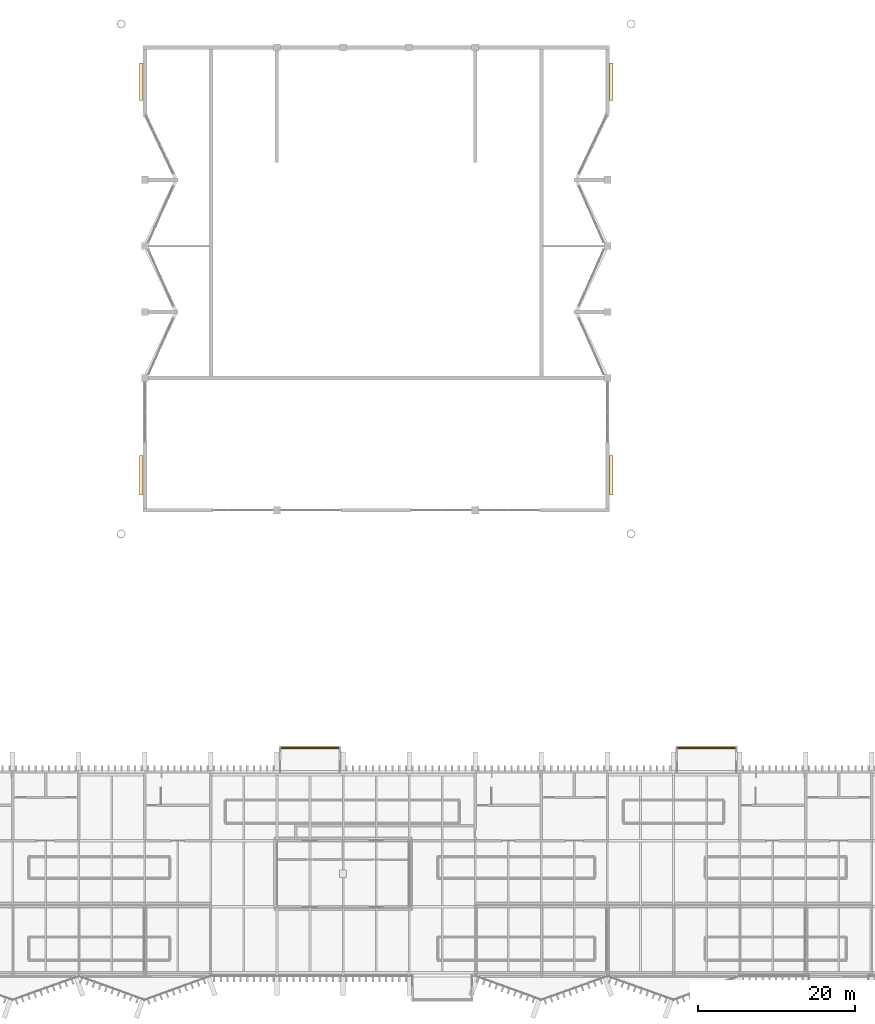
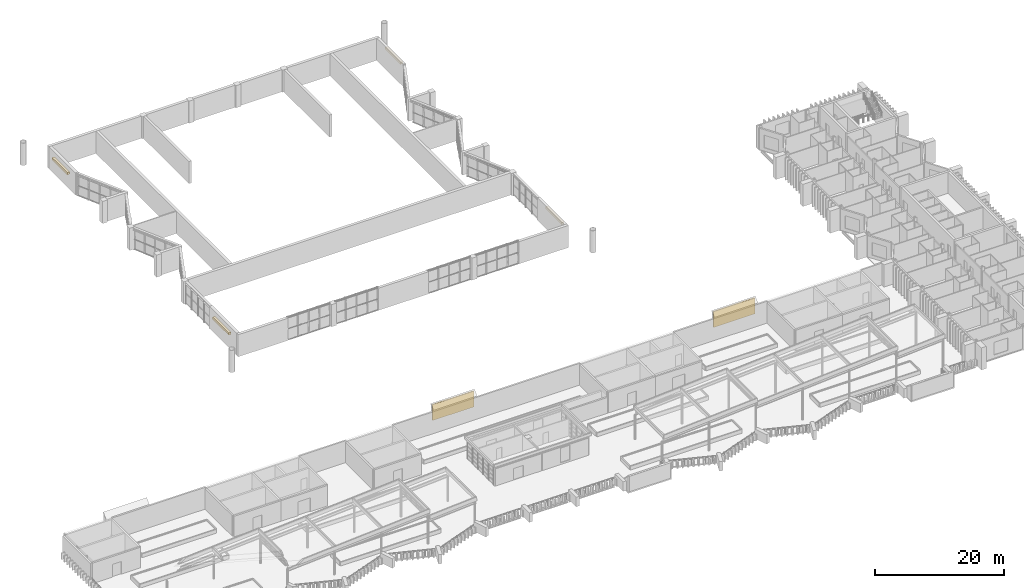
# One storey, part 48 of 51: 6 coverings.
"""IFC4 building model written with IfcOpenShell, lengths in metres."""

from ifc_helpers import new_model, si_unit, direction, frame, origin, origin_2d, place, context, subcontext, project, spatial, rectangle, extrude, material, layer, layer_set, type_object, element, save


model = new_model("IFC4")

# Units and contexts
model_context = context("Model", 3, precision=1e-05, world=origin(), true_north=direction((0.0, 1.0)))
body_context = subcontext(model_context, "Body", "Model", "MODEL_VIEW")
ifc_project = project(units=[si_unit("LENGTHUNIT", "METRE"), si_unit("AREAUNIT", "SQUARE_METRE"), si_unit("VOLUMEUNIT", "CUBIC_METRE"), si_unit("PLANEANGLEUNIT", "RADIAN"), si_unit("MASSUNIT", "GRAM", prefix="KILO")], contexts=[model_context])

# Site, building, storey
site_placement = place(None, origin())
site = spatial("IfcSite", under=ifc_project, at=site_placement, CompositionType="ELEMENT")
building_placement = place(site_placement, origin())
building = spatial("IfcBuilding", under=site, at=building_placement, Name="Cresset Court Congress Hotel", CompositionType="ELEMENT")
storey_placement = place(building_placement, frame((0.0, 0.0, 18.60009765625)))
storey = spatial("IfcBuildingStorey", under=building, at=storey_placement, Name="L04", CompositionType="ELEMENT", Elevation=18.60009765625)

# Coverings
ifc_material_1 = material(Name="Precast concrete C50", Category="concrete")
covering_type_1 = type_object("IfcCoveringType", Name="Precast reveal band 450x400", PredefinedType="CLADDING", material=ifc_material_1)
covering_1_placement = place(storey_placement, frame((118.074951171875, 63.25, 2.949951171875), z_axis=(0.0, 0.0, 1.0), x_axis=(0.0, -1.0, 0.0)))
element("IfcCovering", 1, at=covering_1_placement, inside=storey, type_object=covering_type_1, Name="Reveal band E.L04.00a.1", PredefinedType="CLADDING", context=body_context, shape_type="SweptSolid", body=[
    extrude(rectangle(XDim=5.0, YDim=0.449951171875, at=origin_2d()), origin(), (0.0, 0.0, 1.0), 0.39990234375),
])
for number, where, z_axis, x_axis, name in (
    (2, (118.074951171875, 113.27490234375, 2.949951171875), (0.0, 0.0, 1.0), (0.0, -1.0, 0.0), "Reveal band E.L04.04a1.1"),
    (3, (58.324951171875, 113.27490234375, 2.949951171875), (0.0, 0.0, 1.0), (0.0, 1.0, 0.0), "Reveal band W.L04.00a0.1"),
):
    element("IfcCovering", number, at=place(storey_placement, frame(where, z_axis=z_axis, x_axis=x_axis)), inside=storey, type_object=covering_type_1, Name=name, PredefinedType="CLADDING", context=body_context, shape_type="SweptSolid", body=[
        extrude(rectangle(XDim=4.75, YDim=0.449951171875, at=origin_2d()), origin(), (0.0, 0.0, 1.0), 0.39990234375),
    ])
covering_2_placement = place(storey_placement, frame((58.324951171875, 63.25, 2.949951171875), z_axis=(0.0, 0.0, 1.0), x_axis=(0.0, 1.0, 0.0)))
element("IfcCovering", 4, at=covering_2_placement, inside=storey, type_object=covering_type_1, Name="Reveal band W.L04.04a.1", PredefinedType="CLADDING", context=body_context, shape_type="SweptSolid", body=[
    extrude(rectangle(XDim=5.0, YDim=0.449951171875, at=origin_2d()), origin(), (0.0, 0.0, 1.0), 0.39990234375),
])
ifc_material_2 = material(Name="Precast concrete C50", Category="concrete")
ifc_layer = layer(ifc_material_2, 0.199951171875)
ifc_layer_set = layer_set([ifc_layer], Name="Precast stone hood fascia 200")
covering_type_2 = type_object("IfcCoveringType", Name="Precast stone hood fascia 200", PredefinedType="CLADDING", material=ifc_layer_set)
for number, where, z_axis, x_axis, name in (
    (5, (79.800048828125, 28.60009765625, 0.0), (0.0, 0.0, 1.0), (1.0, 0.0, 0.0), "Hood fascia N08"),
    (6, (130.199951171875, 28.60009765625, 0.0), (0.0, 0.0, 1.0), (1.0, 0.0, 0.0), "Hood fascia N14"),
):
    element("IfcCovering", number, at=place(storey_placement, frame(where, z_axis=z_axis, x_axis=x_axis)), inside=storey, type_object=covering_type_2, Name=name, PredefinedType="CLADDING", context=body_context, shape_type="SweptSolid", body=[
        extrude(rectangle(XDim=7.39990234375, YDim=0.199951171875, at=origin_2d()), origin(), (0.0, 0.0, 1.0), 3.0),
    ])

save(model, "model.ifc")
